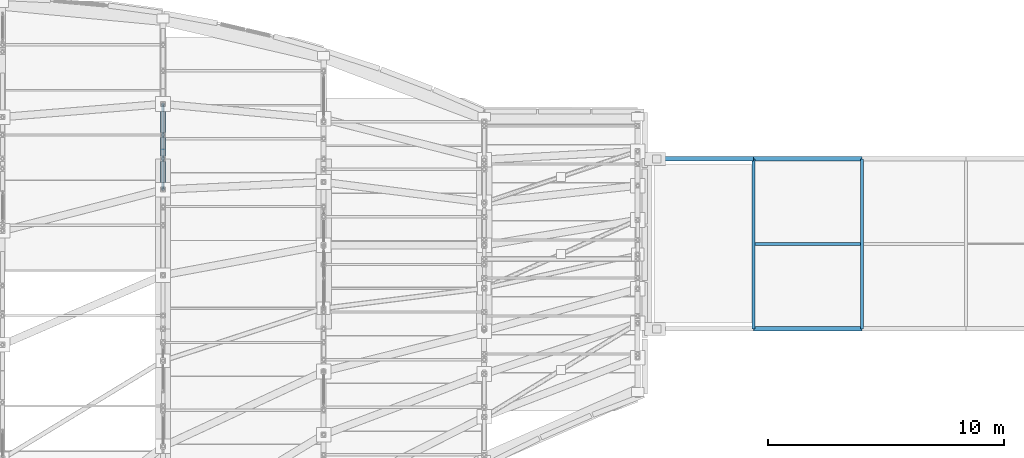
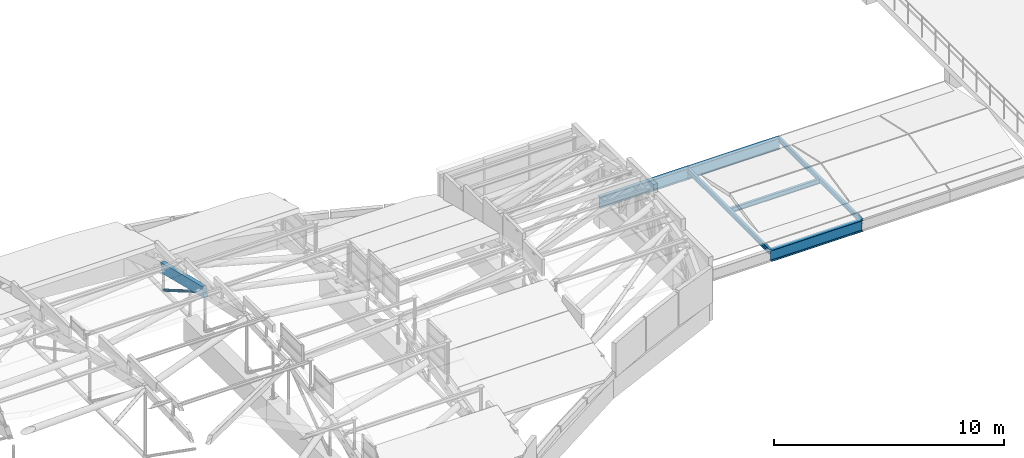
# One storey, part 107 of 188: 6 beams, 2 members.
"""IFC4 building model written with IfcOpenShell, lengths in metres."""

import ifcopenshell
import ifcopenshell.guid

model = None  # the IFC model being written
_history = None  # IfcOwnerHistory: only IFC2X3 demands one
_inside = {}  # id of a spatial element -> (the spatial element, [elements in it])
_under = {}  # id of a project, library or spatial element -> (it, [spatial elements below it])
_declared = {}  # id of a project -> (the project, [libraries it declares])
_typed = {}  # id of a type object -> (the type object, [elements of that type])
_made_of = {}  # id of a material, layer set ... -> (it, [elements and type objects made of it])


def new_model(schema):
    """Start an empty IFC model of exactly this schema.

    Asked for "IFC4X3", IfcOpenShell would pick the latest addendum, in which some entities
    have other attributes; the version numbers below select the first issue.
    IFC2X3 requires an IfcOwnerHistory on every rooted entity: one is made here for all.
    """
    global model, _history
    if schema == "IFC4X3":
        model = ifcopenshell.file(schema_version=(4, 3, 0, 0))
    else:
        model = ifcopenshell.file(schema=schema)
    _inside.clear()
    _under.clear()
    _declared.clear()
    _typed.clear()
    _made_of.clear()
    _history = None
    if model.schema == "IFC2X3":
        org = make("IfcOrganization", Name="unknown")
        user = make(
            "IfcPersonAndOrganization",
            ThePerson=make("IfcPerson", FamilyName="unknown"),
            TheOrganization=org,
        )
        app = make(
            "IfcApplication",
            ApplicationDeveloper=org,
            Version="unknown",
            ApplicationFullName="unknown",
            ApplicationIdentifier="unknown",
        )
        _history = make(
            "IfcOwnerHistory",
            OwningUser=user,
            OwningApplication=app,
            ChangeAction="ADDED",
            CreationDate=0,
        )
    return model


def make(cls, **values):
    """One entity of the class cls with the attributes given. An attribute that is None is left unset."""
    return model.create_entity(
        cls, **{name: value for name, value in values.items() if value is not None}
    )


def rooted(cls, **values):
    """An entity with a GlobalId (a new one), such as an element, a storey or a relation."""
    return make(cls, GlobalId=ifcopenshell.guid.new(), OwnerHistory=_history, **values)


def si_unit(unit_type, name, prefix=None):
    """IfcSIUnit, for example si_unit("LENGTHUNIT", "METRE", prefix="MILLI")."""
    return make("IfcSIUnit", UnitType=unit_type, Prefix=prefix, Name=name)


def assignment(units):
    """IfcUnitAssignment: the units of a project."""
    return None if units is None else make("IfcUnitAssignment", Units=units)


def point(xyz):
    """IfcCartesianPoint."""
    return None if xyz is None else make("IfcCartesianPoint", Coordinates=xyz)


def direction(xyz):
    """IfcDirection."""
    return None if xyz is None else make("IfcDirection", DirectionRatios=xyz)


def frame(location, z_axis=None, x_axis=None):
    """IfcAxis2Placement3D, a coordinate frame: its origin and axes. An axis left out is left unset."""
    return make(
        "IfcAxis2Placement3D",
        Location=point(location),
        Axis=direction(z_axis),
        RefDirection=direction(x_axis),
    )


def frame_2d(location, x_axis=None):
    """IfcAxis2Placement2D, a coordinate frame in the plane: its origin and x axis."""
    return make(
        "IfcAxis2Placement2D", Location=point(location), RefDirection=direction(x_axis)
    )


def origin():
    """The frame at (0, 0, 0) with its axes left unset."""
    return frame((0.0, 0.0, 0.0))


def origin_2d():
    """The frame at (0, 0) in the plane with its x axis left unset."""
    return frame_2d((0.0, 0.0))


def place(relative_to, where):
    """IfcLocalPlacement: puts the frame where relative to a parent placement (None: the world)."""
    return make(
        "IfcLocalPlacement", PlacementRelTo=relative_to, RelativePlacement=where
    )


def context(
    kind, dimensions, precision=None, world=None, true_north=None, identifier=None
):
    """IfcGeometricRepresentationContext, for example the 3D "Model" context."""
    return make(
        "IfcGeometricRepresentationContext",
        ContextIdentifier=identifier,
        ContextType=kind,
        CoordinateSpaceDimension=dimensions,
        Precision=precision,
        WorldCoordinateSystem=world,
        TrueNorth=true_north,
    )


def subcontext(parent, identifier, kind, view, scale=None):
    """IfcGeometricRepresentationSubContext, for example "Body" below "Model"."""
    return make(
        "IfcGeometricRepresentationSubContext",
        ContextIdentifier=identifier,
        ContextType=kind,
        ParentContext=parent,
        TargetScale=scale,
        TargetView=view,
    )


def project(units=None, contexts=None):
    """IfcProject with its units and contexts."""
    return rooted(
        "IfcProject",
        Name="project",
        RepresentationContexts=contexts,
        UnitsInContext=assignment(units),
    )


def spatial(cls, under=None, at=None, **own):
    """A site, building, storey or space (cls), placed at a placement, below another one or the project."""
    s = rooted(cls, ObjectPlacement=at, **own)
    if under is not None:
        _under.setdefault(under.id(), (under, []))[1].append(s)
    return s


def profile(cls, at=None, kind="AREA", **sizes):
    """A parametric profile (cls). Its sizes go by their IFC names, for example OverallWidth=200.0."""
    return make(cls, ProfileType=kind, Position=at, **sizes)


def rectangle(**sizes):
    """IfcRectangleProfileDef."""
    return profile("IfcRectangleProfileDef", **sizes)


def hollow_circle(**sizes):
    """IfcCircleHollowProfileDef."""
    return profile("IfcCircleHollowProfileDef", **sizes)


def i_section(**sizes):
    """IfcIShapeProfileDef."""
    return profile("IfcIShapeProfileDef", **sizes)


def extrude(swept, where, along, depth):
    """IfcExtrudedAreaSolid: the profile swept, set in the frame where, extruded along a direction by depth."""
    return make(
        "IfcExtrudedAreaSolid",
        SweptArea=swept,
        Position=where,
        ExtrudedDirection=direction(along),
        Depth=depth,
    )


def shape(context_of_items, identifier, shape_type, items):
    """IfcShapeRepresentation: the items that make up one representation, for example the "Body"."""
    return make(
        "IfcShapeRepresentation",
        ContextOfItems=context_of_items,
        RepresentationIdentifier=identifier,
        RepresentationType=shape_type,
        Items=items,
    )


def material(Name=None, Category=None):
    """IfcMaterial."""
    return make("IfcMaterial", Name=Name, Category=Category)


def material_profile(
    of_material, cross_section, Name=None, Category=None, Priority=None
):
    """IfcMaterialProfile: a cross section and its material."""
    return make(
        "IfcMaterialProfile",
        Name=Name,
        Material=of_material,
        Profile=cross_section,
        Priority=Priority,
        Category=Category,
    )


def profile_set(profiles, Name=None, composite=None):
    """IfcMaterialProfileSet."""
    return make(
        "IfcMaterialProfileSet",
        Name=Name,
        MaterialProfiles=profiles,
        CompositeProfile=composite,
    )


def made_of(thing, what):
    """Note that an element or type object is made of a material, layer set ...; save() writes the relation."""
    if what is not None:
        _made_of.setdefault(what.id(), (what, []))[1].append(thing)
    return thing


def type_object(cls, material=None, **own):
    """A type object (cls), such as IfcWallType, which elements share."""
    return made_of(rooted(cls, **own), material)


def element(
    cls,
    number,
    at=None,
    inside=None,
    cuts=None,
    type_object=None,
    material=None,
    context=None,
    identifier="Body",
    shape_type=None,
    held_by="IfcProductDefinitionShape",
    body=None,
    shapes=None,
    **own,
):
    """One element of the class cls, such as IfcWall. Its Tag is "e" and its number.

    at: its placement. inside: the storey or other place that contains it. cuts: it is an
    opening in that element (IfcRelVoidsElement). A single representation is given by context,
    identifier, shape_type and body (its items); several are given by shapes. held_by: the class
    of the entity that holds the representations. save() writes the other relations.
    """
    e = rooted(cls, Tag="e%d" % number, ObjectPlacement=at, **own)
    if body is not None:
        shapes = [shape(context, identifier, shape_type, body)]
    if shapes is not None:
        e.Representation = make(held_by, Representations=shapes)
    if inside is not None:
        _inside.setdefault(inside.id(), (inside, []))[1].append(e)
    if cuts is not None:
        rooted(
            "IfcRelVoidsElement", RelatingBuildingElement=cuts, RelatedOpeningElement=e
        )
    if type_object is not None:
        _typed.setdefault(type_object.id(), (type_object, []))[1].append(e)
    return made_of(e, material)


def aggregate(whole, parts):
    """IfcRelAggregates: a whole, such as a stair, and the parts it consists of."""
    return rooted("IfcRelAggregates", RelatingObject=whole, RelatedObjects=parts)


def save(model, path):
    """Write the relations noted so far, then the file.

    IfcRelAggregates (storeys below a building ...), IfcRelContainedInSpatialStructure (elements
    in a storey), IfcRelDefinesByType, IfcRelAssociatesMaterial and IfcRelDeclares: one each for
    every whole, place, type object, material and project.
    """
    for whole, parts in _under.values():
        aggregate(whole, parts)
    for where, things in _inside.values():
        rooted(
            "IfcRelContainedInSpatialStructure",
            RelatedElements=things,
            RelatingStructure=where,
        )
    for kind, things in _typed.values():
        rooted("IfcRelDefinesByType", RelatedObjects=things, RelatingType=kind)
    for what, things in _made_of.values():
        rooted("IfcRelAssociatesMaterial", RelatedObjects=things, RelatingMaterial=what)
    for by, libraries in _declared.values():
        rooted("IfcRelDeclares", RelatingContext=by, RelatedDefinitions=libraries)
    model.write(path)


model = new_model("IFC4")

# Units and contexts
model_context = context("Model", 3, precision=1e-05, world=origin(), true_north=direction((0.0, 1.0)))
body_context = subcontext(model_context, "Body", "Model", "MODEL_VIEW")
ifc_project = project(units=[si_unit("LENGTHUNIT", "METRE"), si_unit("AREAUNIT", "SQUARE_METRE"), si_unit("VOLUMEUNIT", "CUBIC_METRE"), si_unit("PLANEANGLEUNIT", "RADIAN"), si_unit("MASSUNIT", "GRAM", prefix="KILO")], contexts=[model_context])

# Site, building, storey
site_placement = place(None, origin())
site = spatial("IfcSite", under=ifc_project, at=site_placement, CompositionType="ELEMENT")
building_placement = place(site_placement, origin())
building = spatial("IfcBuilding", under=site, at=building_placement, Name="Kisaragi Civic Commons", CompositionType="ELEMENT")
storey_placement = place(building_placement, frame((0.0, 0.0, 9.60009765625)))
storey = spatial("IfcBuildingStorey", under=building, at=storey_placement, Name="L02", CompositionType="ELEMENT", Elevation=9.60009765625)

# Beams
ifc_material_1 = material(Name="Steel SN490 (SN490B)", Category="steel")
ifc_material_profile_1 = material_profile(ifc_material_1, i_section(OverallWidth=0.199951171875, OverallDepth=0.60009765625, WebThickness=0.010986328125, FlangeThickness=0.01708984375, FilletRadius=0.012939453125, at=origin_2d()), Name="H-600x200x11x17", Category="steel")
ifc_profile_set_1 = profile_set([ifc_material_profile_1], Name="Steel SN490 (SN490B)")
beam_type_1 = type_object("IfcBeamType", Name="G-10", PredefinedType="BEAM", material=ifc_profile_set_1)
for number, where, z_axis, x_axis, name in (
    (1, (63.60009765625, 104.39990234375, -1.190185546875), (-1.0, 0.0, 0.0), (0.0, -1.0, 0.0), "BR-V4-V2 L02 bridge girder 33"),
    (2, (63.60009765625, 111.60009765625, -1.190185546875), (-1.0, 0.0, 0.0), (0.0, -1.0, 0.0), "BR-V4-V2 L02 bridge girder 38"),
):
    element("IfcBeam", number, at=place(storey_placement, frame(where, z_axis=z_axis, x_axis=x_axis)), inside=storey, type_object=beam_type_1, Name=name, PredefinedType="BEAM", context=body_context, shape_type="SweptSolid", body=[
        extrude(i_section(OverallWidth=0.199951171875, OverallDepth=0.60009765625, WebThickness=0.010986328125, FlangeThickness=0.01708984375, FilletRadius=0.012939453125, at=origin_2d()), origin(), (0.0, 0.0, 1.0), 4.60009765625),
    ])
beam_1_placement = place(storey_placement, frame((59.0, 111.60009765625, -1.190185546875), z_axis=(-1.0, 0.0, 0.0), x_axis=(0.0, -1.0, 0.0)))
element("IfcBeam", 3, at=beam_1_placement, inside=storey, type_object=beam_type_1, Name="BR-V4-V2 L02 bridge girder 39", PredefinedType="BEAM", context=body_context, shape_type="SweptSolid", body=[
    extrude(i_section(OverallWidth=0.199951171875, OverallDepth=0.60009765625, WebThickness=0.010986328125, FlangeThickness=0.01708984375, FilletRadius=0.012939453125, at=origin_2d()), origin(), (0.0, 0.0, 1.0), 4.449951171875),
])

# Member
ifc_material_2 = material(Name="Glulam E120-F330", Category="wood")
ifc_material_profile_2 = material_profile(ifc_material_2, rectangle(XDim=0.2099609375, YDim=0.5400390625, at=origin_2d()), Name="GL-210x540", Category="wood")
ifc_profile_set_2 = profile_set([ifc_material_profile_2], Name="Glulam E120-F330")
member_type_1 = type_object("IfcMemberType", Name="GR-04", PredefinedType="RAFTER", material=ifc_profile_set_2)
member_1_placement = place(storey_placement, frame((34.0, 110.29541015625, 2.040283203125), z_axis=(0.0, 0.970441598134, -0.241336082283), x_axis=(-1.0, 0.0, 0.0)))
element("IfcMember", 4, at=member_1_placement, inside=storey, type_object=member_type_1, Name="V2 glulam arch rib GR-04 47", PredefinedType="RAFTER", context=body_context, shape_type="SweptSolid", body=[
    extrude(rectangle(XDim=0.2099609375, YDim=0.5400390625, at=origin_2d()), origin(), (0.0, 0.0, 1.0), 3.73583984375),
])

# Beams
ifc_material_3 = material(Name="Steel SN400 (SN400B)", Category="steel")
ifc_material_profile_3 = material_profile(ifc_material_3, i_section(OverallWidth=0.125, OverallDepth=0.25, WebThickness=0.006103515625, FlangeThickness=0.009033203125, FilletRadius=0.008056640625, at=origin_2d()), Name="H-250x125x6x9", Category="steel")
ifc_profile_set_3 = profile_set([ifc_material_profile_3], Name="Steel SN400 (SN400B)")
beam_type_2 = type_object("IfcBeamType", Name="J-05", PredefinedType="JOIST", material=ifc_profile_set_3)
for number, where, z_axis, x_axis, name in (
    (5, (63.60009765625, 104.39990234375, -1.01513671875), (0.0, 1.0, 0.0), (-1.0, 0.0, 0.0), "BR-V4-V2 L02 cross joist 42"),
    (6, (59.0, 104.39990234375, -1.01513671875), (0.0, 1.0, 0.0), (-1.0, 0.0, 0.0), "BR-V4-V2 L02 cross joist 43"),
):
    element("IfcBeam", number, at=place(storey_placement, frame(where, z_axis=z_axis, x_axis=x_axis)), inside=storey, type_object=beam_type_2, Name=name, PredefinedType="JOIST", context=body_context, shape_type="SweptSolid", body=[
        extrude(i_section(OverallWidth=0.125, OverallDepth=0.25, WebThickness=0.006103515625, FlangeThickness=0.009033203125, FilletRadius=0.008056640625, at=origin_2d()), origin(), (0.0, 0.0, 1.0), 7.2001953125),
    ])
beam_2_placement = place(storey_placement, frame((63.53759765625, 108.0, -1.01513671875), z_axis=(-1.0, 0.0, 0.0), x_axis=(0.0, -1.0, 0.0)))
element("IfcBeam", 7, at=beam_2_placement, inside=storey, type_object=beam_type_2, Name="BR-V4-V2 L02 spine joist 45", PredefinedType="JOIST", context=body_context, shape_type="SweptSolid", body=[
    extrude(i_section(OverallWidth=0.125, OverallDepth=0.25, WebThickness=0.006103515625, FlangeThickness=0.009033203125, FilletRadius=0.008056640625, at=origin_2d()), origin(), (0.0, 0.0, 1.0), 4.47509765625),
])

# Member
ifc_material_profile_4 = material_profile(ifc_material_1, hollow_circle(Radius=0.06982421875, WallThickness=0.006103515625, at=origin_2d()), Name="CHS-139.8x6.0", Category="steel")
ifc_profile_set_4 = profile_set([ifc_material_profile_4], Name="Steel SN490 (SN490B)")
member_type_2 = type_object("IfcMemberType", Name="ST-H1", PredefinedType="STRUT", material=ifc_profile_set_4)
member_2_placement = place(storey_placement, frame((34.0, 113.9208984375, -0.080078125), z_axis=(0.0, -0.863209111455, 0.504846540942), x_axis=(1.0, 0.0, 0.0)))
element("IfcMember", 8, at=member_2_placement, inside=storey, type_object=member_type_2, Name="V2 tied arch truss diagonal web strut 86", PredefinedType="STRUT", context=body_context, shape_type="SweptSolid", body=[
    extrude(hollow_circle(Radius=0.06982421875, WallThickness=0.006103515625, at=origin_2d()), origin(), (0.0, 0.0, 1.0), 4.199951171875),
])

save(model, "model.ifc")
